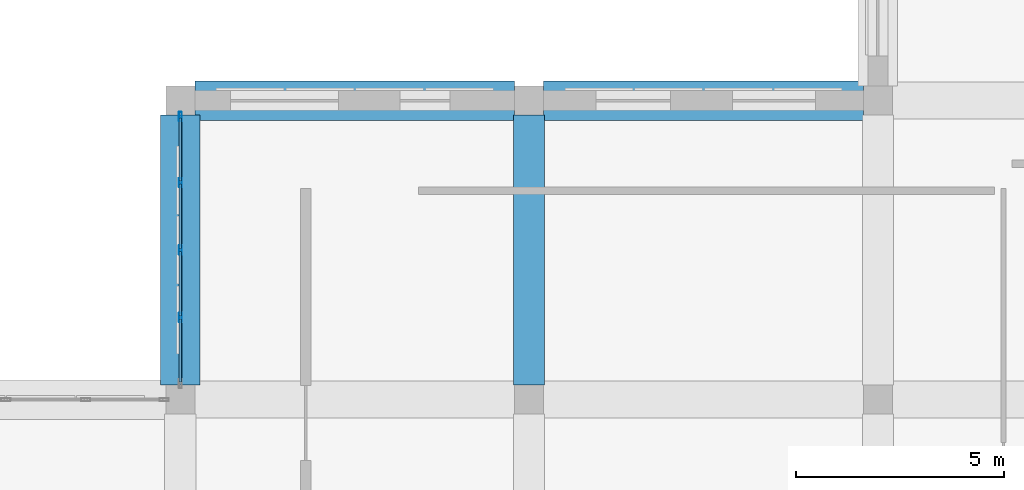
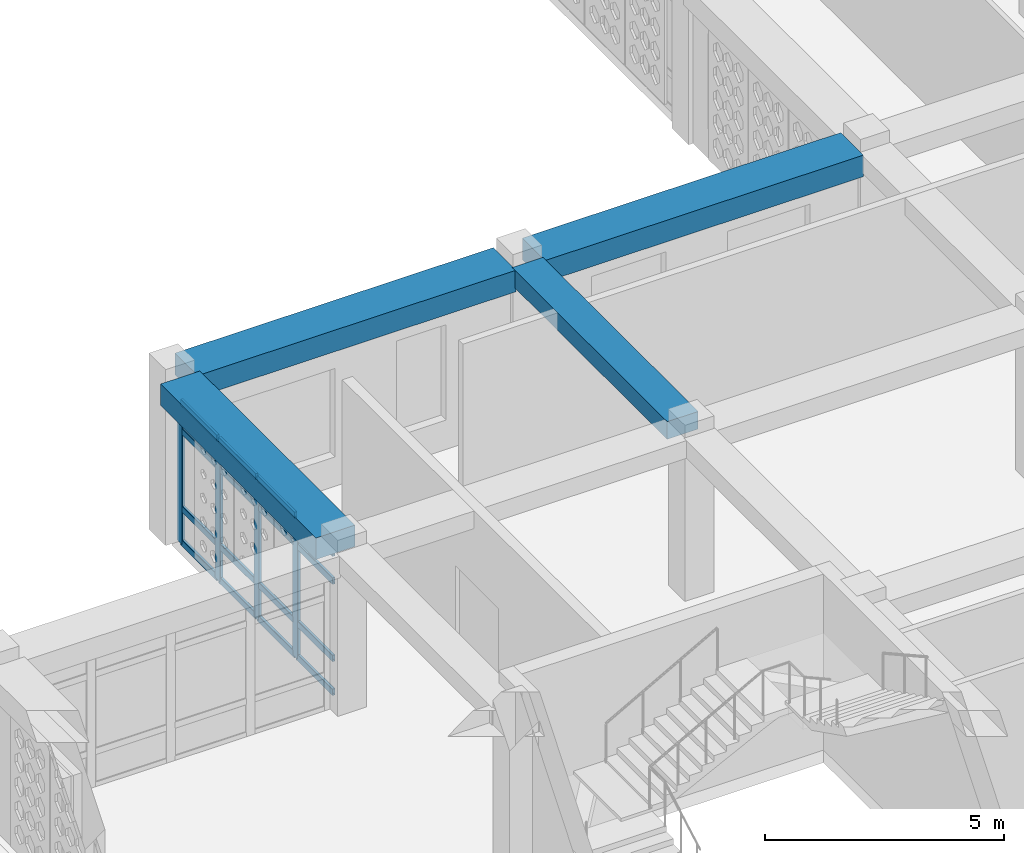
# One storey, part 27 of 100: 20 members, 4 beams, 1 element without a shape of its own.
"""IFC4 building model written with IfcOpenShell, lengths in metres."""

import ifcopenshell
import ifcopenshell.guid

model = None  # the IFC model being written
_history = None  # IfcOwnerHistory: only IFC2X3 demands one
_inside = {}  # id of a spatial element -> (the spatial element, [elements in it])
_under = {}  # id of a project, library or spatial element -> (it, [spatial elements below it])
_declared = {}  # id of a project -> (the project, [libraries it declares])
_typed = {}  # id of a type object -> (the type object, [elements of that type])
_made_of = {}  # id of a material, layer set ... -> (it, [elements and type objects made of it])


def new_model(schema):
    """Start an empty IFC model of exactly this schema.

    Asked for "IFC4X3", IfcOpenShell would pick the latest addendum, in which some entities
    have other attributes; the version numbers below select the first issue.
    IFC2X3 requires an IfcOwnerHistory on every rooted entity: one is made here for all.
    """
    global model, _history
    if schema == "IFC4X3":
        model = ifcopenshell.file(schema_version=(4, 3, 0, 0))
    else:
        model = ifcopenshell.file(schema=schema)
    _inside.clear()
    _under.clear()
    _declared.clear()
    _typed.clear()
    _made_of.clear()
    _history = None
    if model.schema == "IFC2X3":
        org = make("IfcOrganization", Name="unknown")
        user = make(
            "IfcPersonAndOrganization",
            ThePerson=make("IfcPerson", FamilyName="unknown"),
            TheOrganization=org,
        )
        app = make(
            "IfcApplication",
            ApplicationDeveloper=org,
            Version="unknown",
            ApplicationFullName="unknown",
            ApplicationIdentifier="unknown",
        )
        _history = make(
            "IfcOwnerHistory",
            OwningUser=user,
            OwningApplication=app,
            ChangeAction="ADDED",
            CreationDate=0,
        )
    return model


def make(cls, **values):
    """One entity of the class cls with the attributes given. An attribute that is None is left unset."""
    return model.create_entity(
        cls, **{name: value for name, value in values.items() if value is not None}
    )


def rooted(cls, **values):
    """An entity with a GlobalId (a new one), such as an element, a storey or a relation."""
    return make(cls, GlobalId=ifcopenshell.guid.new(), OwnerHistory=_history, **values)


def si_unit(unit_type, name, prefix=None):
    """IfcSIUnit, for example si_unit("LENGTHUNIT", "METRE", prefix="MILLI")."""
    return make("IfcSIUnit", UnitType=unit_type, Prefix=prefix, Name=name)


def derived_unit(unit_type, elements):
    """IfcDerivedUnit: a product of units, each with its exponent."""
    return make(
        "IfcDerivedUnit",
        Elements=[
            make("IfcDerivedUnitElement", Unit=unit, Exponent=power)
            for unit, power in elements
        ],
        UnitType=unit_type,
    )


def assignment(units):
    """IfcUnitAssignment: the units of a project."""
    return None if units is None else make("IfcUnitAssignment", Units=units)


def point(xyz):
    """IfcCartesianPoint."""
    return None if xyz is None else make("IfcCartesianPoint", Coordinates=xyz)


def direction(xyz):
    """IfcDirection."""
    return None if xyz is None else make("IfcDirection", DirectionRatios=xyz)


def frame(location, z_axis=None, x_axis=None):
    """IfcAxis2Placement3D, a coordinate frame: its origin and axes. An axis left out is left unset."""
    return make(
        "IfcAxis2Placement3D",
        Location=point(location),
        Axis=direction(z_axis),
        RefDirection=direction(x_axis),
    )


def frame_2d(location, x_axis=None):
    """IfcAxis2Placement2D, a coordinate frame in the plane: its origin and x axis."""
    return make(
        "IfcAxis2Placement2D", Location=point(location), RefDirection=direction(x_axis)
    )


def origin():
    """The frame at (0, 0, 0) with its axes left unset."""
    return frame((0.0, 0.0, 0.0))


def origin_2d():
    """The frame at (0, 0) in the plane with its x axis left unset."""
    return frame_2d((0.0, 0.0))


def place(relative_to, where):
    """IfcLocalPlacement: puts the frame where relative to a parent placement (None: the world)."""
    return make(
        "IfcLocalPlacement", PlacementRelTo=relative_to, RelativePlacement=where
    )


def context(
    kind, dimensions, precision=None, world=None, true_north=None, identifier=None
):
    """IfcGeometricRepresentationContext, for example the 3D "Model" context."""
    return make(
        "IfcGeometricRepresentationContext",
        ContextIdentifier=identifier,
        ContextType=kind,
        CoordinateSpaceDimension=dimensions,
        Precision=precision,
        WorldCoordinateSystem=world,
        TrueNorth=true_north,
    )


def subcontext(parent, identifier, kind, view, scale=None):
    """IfcGeometricRepresentationSubContext, for example "Body" below "Model"."""
    return make(
        "IfcGeometricRepresentationSubContext",
        ContextIdentifier=identifier,
        ContextType=kind,
        ParentContext=parent,
        TargetScale=scale,
        TargetView=view,
    )


def project(units=None, contexts=None):
    """IfcProject with its units and contexts."""
    return rooted(
        "IfcProject",
        Name="project",
        RepresentationContexts=contexts,
        UnitsInContext=assignment(units),
    )


def spatial(cls, under=None, at=None, **own):
    """A site, building, storey or space (cls), placed at a placement, below another one or the project."""
    s = rooted(cls, ObjectPlacement=at, **own)
    if under is not None:
        _under.setdefault(under.id(), (under, []))[1].append(s)
    return s


def profile(cls, at=None, kind="AREA", **sizes):
    """A parametric profile (cls). Its sizes go by their IFC names, for example OverallWidth=200.0."""
    return make(cls, ProfileType=kind, Position=at, **sizes)


def rectangle(**sizes):
    """IfcRectangleProfileDef."""
    return profile("IfcRectangleProfileDef", **sizes)


def hollow_rectangle(**sizes):
    """IfcRectangleHollowProfileDef."""
    return profile("IfcRectangleHollowProfileDef", **sizes)


def extrude(swept, where, along, depth):
    """IfcExtrudedAreaSolid: the profile swept, set in the frame where, extruded along a direction by depth."""
    return make(
        "IfcExtrudedAreaSolid",
        SweptArea=swept,
        Position=where,
        ExtrudedDirection=direction(along),
        Depth=depth,
    )


def shape(context_of_items, identifier, shape_type, items):
    """IfcShapeRepresentation: the items that make up one representation, for example the "Body"."""
    return make(
        "IfcShapeRepresentation",
        ContextOfItems=context_of_items,
        RepresentationIdentifier=identifier,
        RepresentationType=shape_type,
        Items=items,
    )


def material(Name=None, Category=None):
    """IfcMaterial."""
    return make("IfcMaterial", Name=Name, Category=Category)


def material_profile(
    of_material, cross_section, Name=None, Category=None, Priority=None
):
    """IfcMaterialProfile: a cross section and its material."""
    return make(
        "IfcMaterialProfile",
        Name=Name,
        Material=of_material,
        Profile=cross_section,
        Priority=Priority,
        Category=Category,
    )


def profile_set(profiles, Name=None, composite=None):
    """IfcMaterialProfileSet."""
    return make(
        "IfcMaterialProfileSet",
        Name=Name,
        MaterialProfiles=profiles,
        CompositeProfile=composite,
    )


def made_of(thing, what):
    """Note that an element or type object is made of a material, layer set ...; save() writes the relation."""
    if what is not None:
        _made_of.setdefault(what.id(), (what, []))[1].append(thing)
    return thing


def type_object(cls, material=None, **own):
    """A type object (cls), such as IfcWallType, which elements share."""
    return made_of(rooted(cls, **own), material)


def element(
    cls,
    number,
    at=None,
    inside=None,
    cuts=None,
    type_object=None,
    material=None,
    context=None,
    identifier="Body",
    shape_type=None,
    held_by="IfcProductDefinitionShape",
    body=None,
    shapes=None,
    **own,
):
    """One element of the class cls, such as IfcWall. Its Tag is "e" and its number.

    at: its placement. inside: the storey or other place that contains it. cuts: it is an
    opening in that element (IfcRelVoidsElement). A single representation is given by context,
    identifier, shape_type and body (its items); several are given by shapes. held_by: the class
    of the entity that holds the representations. save() writes the other relations.
    """
    e = rooted(cls, Tag="e%d" % number, ObjectPlacement=at, **own)
    if body is not None:
        shapes = [shape(context, identifier, shape_type, body)]
    if shapes is not None:
        e.Representation = make(held_by, Representations=shapes)
    if inside is not None:
        _inside.setdefault(inside.id(), (inside, []))[1].append(e)
    if cuts is not None:
        rooted(
            "IfcRelVoidsElement", RelatingBuildingElement=cuts, RelatedOpeningElement=e
        )
    if type_object is not None:
        _typed.setdefault(type_object.id(), (type_object, []))[1].append(e)
    return made_of(e, material)


def aggregate(whole, parts):
    """IfcRelAggregates: a whole, such as a stair, and the parts it consists of."""
    return rooted("IfcRelAggregates", RelatingObject=whole, RelatedObjects=parts)


def save(model, path):
    """Write the relations noted so far, then the file.

    IfcRelAggregates (storeys below a building ...), IfcRelContainedInSpatialStructure (elements
    in a storey), IfcRelDefinesByType, IfcRelAssociatesMaterial and IfcRelDeclares: one each for
    every whole, place, type object, material and project.
    """
    for whole, parts in _under.values():
        aggregate(whole, parts)
    for where, things in _inside.values():
        rooted(
            "IfcRelContainedInSpatialStructure",
            RelatedElements=things,
            RelatingStructure=where,
        )
    for kind, things in _typed.values():
        rooted("IfcRelDefinesByType", RelatedObjects=things, RelatingType=kind)
    for what, things in _made_of.values():
        rooted("IfcRelAssociatesMaterial", RelatedObjects=things, RelatingMaterial=what)
    for by, libraries in _declared.values():
        rooted("IfcRelDeclares", RelatingContext=by, RelatedDefinitions=libraries)
    model.write(path)


model = new_model("IFC4")

# Units and contexts
model_context = context("Model", 3, precision=1e-05, world=origin(), true_north=direction((0.0, 1.0)))
body_context = subcontext(model_context, "Body", "Model", "MODEL_VIEW")
ifc_project = project(units=[si_unit("LENGTHUNIT", "METRE"), si_unit("AREAUNIT", "SQUARE_METRE"), si_unit("VOLUMEUNIT", "CUBIC_METRE"), si_unit("PLANEANGLEUNIT", "RADIAN"), si_unit("MASSUNIT", "GRAM", prefix="KILO"), derived_unit("THERMALTRANSMITTANCEUNIT", [(si_unit("POWERUNIT", "WATT"), 1), (si_unit("LENGTHUNIT", "METRE"), -2), (si_unit("THERMODYNAMICTEMPERATUREUNIT", "KELVIN"), -1)])], contexts=[model_context])

# Site, building, storey
site_placement = place(None, origin())
site = spatial("IfcSite", under=ifc_project, at=site_placement, CompositionType="ELEMENT")
building_placement = place(site_placement, origin())
building = spatial("IfcBuilding", under=site, at=building_placement, Name="Veybourne Emporium", CompositionType="ELEMENT")
storey_placement = place(building_placement, frame((0.0, 0.0, 14.39990234375)))
storey = spatial("IfcBuildingStorey", under=building, at=storey_placement, Name="L03", CompositionType="ELEMENT", Elevation=14.39990234375)

# Curtain wall, members
ifc_material_1 = material(Name="Patinated Architectural Bronze", Category="bronze")
curtain_wall_type = type_object("IfcCurtainWallType", Name="CWSystem_CWS-12", PredefinedType="NOTDEFINED", material=ifc_material_1)
curtain_wall_placement = place(storey_placement, origin())
curtain_wall = element("IfcCurtainWall", 1, at=curtain_wall_placement, inside=storey, type_object=curtain_wall_type, Name="L03 bronze glazed curtain wall CWS-12 (018)", PredefinedType="NOTDEFINED")
ifc_material_profile_1 = material_profile(ifc_material_1, hollow_rectangle(XDim=0.070068359375, YDim=0.219970703125, WallThickness=0.0048828125, InnerFilletRadius=0.007568359375, OuterFilletRadius=0.012451171875, at=origin_2d()), Name="CWM 70x220x5")
ifc_profile_set_1 = profile_set([ifc_material_profile_1], Name="Patinated Architectural Bronze")
member_type_1 = type_object("IfcMemberType", Name="CWMullion_CW-M4", PredefinedType="MULLION", material=ifc_profile_set_1)
member_1_placement = place(storey_placement, frame((16.800048828125, 81.175048828125, 0.0), z_axis=(0.0, 0.0, 1.0), x_axis=(-1.0, 0.0, 0.0)))
member_1 = element("IfcMember", 2, at=member_1_placement, type_object=member_type_1, Name="CWS-12 mullion 2", PredefinedType="MULLION", context=body_context, shape_type="SweptSolid", body=[
    extrude(hollow_rectangle(XDim=0.070068359375, YDim=0.219970703125, WallThickness=0.0048828125, InnerFilletRadius=0.007568359375, OuterFilletRadius=0.012451171875, at=origin_2d()), origin(), (0.0, 0.0, 1.0), 3.630126953125),
])
member_2_placement = place(storey_placement, frame((16.800048828125, 82.800048828125, 0.0), z_axis=(0.0, 0.0, 1.0), x_axis=(-1.0, 0.0, 0.0)))
member_2 = element("IfcMember", 3, at=member_2_placement, type_object=member_type_1, Name="CWS-12 mullion 3", PredefinedType="MULLION", context=body_context, shape_type="SweptSolid", body=[
    extrude(hollow_rectangle(XDim=0.070068359375, YDim=0.219970703125, WallThickness=0.0048828125, InnerFilletRadius=0.007568359375, OuterFilletRadius=0.012451171875, at=origin_2d()), origin(), (0.0, 0.0, 1.0), 3.630126953125),
])
member_3_placement = place(storey_placement, frame((16.800048828125, 84.425048828125, 0.0), z_axis=(0.0, 0.0, 1.0), x_axis=(-1.0, 0.0, 0.0)))
member_3 = element("IfcMember", 4, at=member_3_placement, type_object=member_type_1, Name="CWS-12 mullion 4", PredefinedType="MULLION", context=body_context, shape_type="SweptSolid", body=[
    extrude(hollow_rectangle(XDim=0.070068359375, YDim=0.219970703125, WallThickness=0.0048828125, InnerFilletRadius=0.007568359375, OuterFilletRadius=0.012451171875, at=origin_2d()), origin(), (0.0, 0.0, 1.0), 3.630126953125),
])
member_4_placement = place(storey_placement, frame((16.800048828125, 86.014892578125, 0.0), z_axis=(0.0, 0.0, 1.0), x_axis=(-1.0, 0.0, 0.0)))
member_4 = element("IfcMember", 5, at=member_4_placement, type_object=member_type_1, Name="CWS-12 mullion 5", PredefinedType="MULLION", context=body_context, shape_type="SweptSolid", body=[
    extrude(hollow_rectangle(XDim=0.070068359375, YDim=0.219970703125, WallThickness=0.0048828125, InnerFilletRadius=0.007568359375, OuterFilletRadius=0.012451171875, at=origin_2d()), origin(), (0.0, 0.0, 1.0), 3.630126953125),
])
ifc_material_profile_2 = material_profile(ifc_material_1, hollow_rectangle(XDim=0.070068359375, YDim=0.169921875, WallThickness=0.0048828125, InnerFilletRadius=0.007568359375, OuterFilletRadius=0.012451171875, at=origin_2d()), Name="CWT 70x170x5")
ifc_profile_set_2 = profile_set([ifc_material_profile_2], Name="Patinated Architectural Bronze")
member_type_2 = type_object("IfcMemberType", Name="CWTransom_CW-T4", PredefinedType="NOTDEFINED", material=ifc_profile_set_2)
member_5_placement = place(storey_placement, frame((16.800048828125, 79.6201171875, 0.03515625), z_axis=(0.0, 1.0, 0.0), x_axis=(-1.0, 0.0, 0.0)))
member_5 = element("IfcMember", 6, at=member_5_placement, type_object=member_type_2, Name="CWS-12 transom 1.1", ObjectType="TRANSOM", PredefinedType="USERDEFINED", context=body_context, shape_type="SweptSolid", body=[
    extrude(hollow_rectangle(XDim=0.070068359375, YDim=0.169921875, WallThickness=0.0048828125, InnerFilletRadius=0.007568359375, OuterFilletRadius=0.012451171875, at=origin_2d()), origin(), (0.0, 0.0, 1.0), 1.519775390625),
])
member_6_placement = place(storey_placement, frame((16.800048828125, 79.6201171875, 0.900146484375), z_axis=(0.0, 1.0, 0.0), x_axis=(-1.0, 0.0, 0.0)))
member_6 = element("IfcMember", 7, at=member_6_placement, type_object=member_type_2, Name="CWS-12 transom 1.2", ObjectType="TRANSOM", PredefinedType="USERDEFINED", context=body_context, shape_type="SweptSolid", body=[
    extrude(hollow_rectangle(XDim=0.070068359375, YDim=0.169921875, WallThickness=0.0048828125, InnerFilletRadius=0.007568359375, OuterFilletRadius=0.012451171875, at=origin_2d()), origin(), (0.0, 0.0, 1.0), 1.519775390625),
])
member_7_placement = place(storey_placement, frame((16.800048828125, 79.6201171875, 2.880126953125), z_axis=(0.0, 1.0, 0.0), x_axis=(-1.0, 0.0, 0.0)))
member_7 = element("IfcMember", 8, at=member_7_placement, type_object=member_type_2, Name="CWS-12 transom 1.3", ObjectType="TRANSOM", PredefinedType="USERDEFINED", context=body_context, shape_type="SweptSolid", body=[
    extrude(hollow_rectangle(XDim=0.070068359375, YDim=0.169921875, WallThickness=0.0048828125, InnerFilletRadius=0.007568359375, OuterFilletRadius=0.012451171875, at=origin_2d()), origin(), (0.0, 0.0, 1.0), 1.519775390625),
])
member_8_placement = place(storey_placement, frame((16.800048828125, 79.6201171875, 3.59521484375), z_axis=(0.0, 1.0, 0.0), x_axis=(-1.0, 0.0, 0.0)))
member_8 = element("IfcMember", 9, at=member_8_placement, type_object=member_type_2, Name="CWS-12 transom 1.4", ObjectType="TRANSOM", PredefinedType="USERDEFINED", context=body_context, shape_type="SweptSolid", body=[
    extrude(hollow_rectangle(XDim=0.070068359375, YDim=0.169921875, WallThickness=0.0048828125, InnerFilletRadius=0.007568359375, OuterFilletRadius=0.012451171875, at=origin_2d()), origin(), (0.0, 0.0, 1.0), 1.519775390625),
])
member_9_placement = place(storey_placement, frame((16.800048828125, 81.2099609375, 0.03515625), z_axis=(0.0, 1.0, 0.0), x_axis=(-1.0, 0.0, 0.0)))
member_9 = element("IfcMember", 10, at=member_9_placement, type_object=member_type_2, Name="CWS-12 transom 2.1", ObjectType="TRANSOM", PredefinedType="USERDEFINED", context=body_context, shape_type="SweptSolid", body=[
    extrude(hollow_rectangle(XDim=0.070068359375, YDim=0.169921875, WallThickness=0.0048828125, InnerFilletRadius=0.007568359375, OuterFilletRadius=0.012451171875, at=origin_2d()), origin(), (0.0, 0.0, 1.0), 1.554931640625),
])
member_10_placement = place(storey_placement, frame((16.800048828125, 81.2099609375, 0.900146484375), z_axis=(0.0, 1.0, 0.0), x_axis=(-1.0, 0.0, 0.0)))
member_10 = element("IfcMember", 11, at=member_10_placement, type_object=member_type_2, Name="CWS-12 transom 2.2", ObjectType="TRANSOM", PredefinedType="USERDEFINED", context=body_context, shape_type="SweptSolid", body=[
    extrude(hollow_rectangle(XDim=0.070068359375, YDim=0.169921875, WallThickness=0.0048828125, InnerFilletRadius=0.007568359375, OuterFilletRadius=0.012451171875, at=origin_2d()), origin(), (0.0, 0.0, 1.0), 1.554931640625),
])
member_11_placement = place(storey_placement, frame((16.800048828125, 81.2099609375, 2.880126953125), z_axis=(0.0, 1.0, 0.0), x_axis=(-1.0, 0.0, 0.0)))
member_11 = element("IfcMember", 12, at=member_11_placement, type_object=member_type_2, Name="CWS-12 transom 2.3", ObjectType="TRANSOM", PredefinedType="USERDEFINED", context=body_context, shape_type="SweptSolid", body=[
    extrude(hollow_rectangle(XDim=0.070068359375, YDim=0.169921875, WallThickness=0.0048828125, InnerFilletRadius=0.007568359375, OuterFilletRadius=0.012451171875, at=origin_2d()), origin(), (0.0, 0.0, 1.0), 1.554931640625),
])
member_12_placement = place(storey_placement, frame((16.800048828125, 81.2099609375, 3.59521484375), z_axis=(0.0, 1.0, 0.0), x_axis=(-1.0, 0.0, 0.0)))
member_12 = element("IfcMember", 13, at=member_12_placement, type_object=member_type_2, Name="CWS-12 transom 2.4", ObjectType="TRANSOM", PredefinedType="USERDEFINED", context=body_context, shape_type="SweptSolid", body=[
    extrude(hollow_rectangle(XDim=0.070068359375, YDim=0.169921875, WallThickness=0.0048828125, InnerFilletRadius=0.007568359375, OuterFilletRadius=0.012451171875, at=origin_2d()), origin(), (0.0, 0.0, 1.0), 1.554931640625),
])
member_13_placement = place(storey_placement, frame((16.800048828125, 82.8349609375, 0.03515625), z_axis=(0.0, 1.0, 0.0), x_axis=(-1.0, 0.0, 0.0)))
member_13 = element("IfcMember", 14, at=member_13_placement, type_object=member_type_2, Name="CWS-12 transom 3.1", ObjectType="TRANSOM", PredefinedType="USERDEFINED", context=body_context, shape_type="SweptSolid", body=[
    extrude(hollow_rectangle(XDim=0.070068359375, YDim=0.169921875, WallThickness=0.0048828125, InnerFilletRadius=0.007568359375, OuterFilletRadius=0.012451171875, at=origin_2d()), origin(), (0.0, 0.0, 1.0), 1.554931640625),
])
member_14_placement = place(storey_placement, frame((16.800048828125, 82.8349609375, 0.900146484375), z_axis=(0.0, 1.0, 0.0), x_axis=(-1.0, 0.0, 0.0)))
member_14 = element("IfcMember", 15, at=member_14_placement, type_object=member_type_2, Name="CWS-12 transom 3.2", ObjectType="TRANSOM", PredefinedType="USERDEFINED", context=body_context, shape_type="SweptSolid", body=[
    extrude(hollow_rectangle(XDim=0.070068359375, YDim=0.169921875, WallThickness=0.0048828125, InnerFilletRadius=0.007568359375, OuterFilletRadius=0.012451171875, at=origin_2d()), origin(), (0.0, 0.0, 1.0), 1.554931640625),
])
member_15_placement = place(storey_placement, frame((16.800048828125, 82.8349609375, 2.880126953125), z_axis=(0.0, 1.0, 0.0), x_axis=(-1.0, 0.0, 0.0)))
member_15 = element("IfcMember", 16, at=member_15_placement, type_object=member_type_2, Name="CWS-12 transom 3.3", ObjectType="TRANSOM", PredefinedType="USERDEFINED", context=body_context, shape_type="SweptSolid", body=[
    extrude(hollow_rectangle(XDim=0.070068359375, YDim=0.169921875, WallThickness=0.0048828125, InnerFilletRadius=0.007568359375, OuterFilletRadius=0.012451171875, at=origin_2d()), origin(), (0.0, 0.0, 1.0), 1.554931640625),
])
member_16_placement = place(storey_placement, frame((16.800048828125, 82.8349609375, 3.59521484375), z_axis=(0.0, 1.0, 0.0), x_axis=(-1.0, 0.0, 0.0)))
member_16 = element("IfcMember", 17, at=member_16_placement, type_object=member_type_2, Name="CWS-12 transom 3.4", ObjectType="TRANSOM", PredefinedType="USERDEFINED", context=body_context, shape_type="SweptSolid", body=[
    extrude(hollow_rectangle(XDim=0.070068359375, YDim=0.169921875, WallThickness=0.0048828125, InnerFilletRadius=0.007568359375, OuterFilletRadius=0.012451171875, at=origin_2d()), origin(), (0.0, 0.0, 1.0), 1.554931640625),
])
member_17_placement = place(storey_placement, frame((16.800048828125, 84.4599609375, 0.03515625), z_axis=(0.0, 1.0, 0.0), x_axis=(-1.0, 0.0, 0.0)))
member_17 = element("IfcMember", 18, at=member_17_placement, type_object=member_type_2, Name="CWS-12 transom 4.1", ObjectType="TRANSOM", PredefinedType="USERDEFINED", context=body_context, shape_type="SweptSolid", body=[
    extrude(hollow_rectangle(XDim=0.070068359375, YDim=0.169921875, WallThickness=0.0048828125, InnerFilletRadius=0.007568359375, OuterFilletRadius=0.012451171875, at=origin_2d()), origin(), (0.0, 0.0, 1.0), 1.52001953125),
])
member_18_placement = place(storey_placement, frame((16.800048828125, 84.4599609375, 0.900146484375), z_axis=(0.0, 1.0, 0.0), x_axis=(-1.0, 0.0, 0.0)))
member_18 = element("IfcMember", 19, at=member_18_placement, type_object=member_type_2, Name="CWS-12 transom 4.2", ObjectType="TRANSOM", PredefinedType="USERDEFINED", context=body_context, shape_type="SweptSolid", body=[
    extrude(hollow_rectangle(XDim=0.070068359375, YDim=0.169921875, WallThickness=0.0048828125, InnerFilletRadius=0.007568359375, OuterFilletRadius=0.012451171875, at=origin_2d()), origin(), (0.0, 0.0, 1.0), 1.52001953125),
])
member_19_placement = place(storey_placement, frame((16.800048828125, 84.4599609375, 2.880126953125), z_axis=(0.0, 1.0, 0.0), x_axis=(-1.0, 0.0, 0.0)))
member_19 = element("IfcMember", 20, at=member_19_placement, type_object=member_type_2, Name="CWS-12 transom 4.3", ObjectType="TRANSOM", PredefinedType="USERDEFINED", context=body_context, shape_type="SweptSolid", body=[
    extrude(hollow_rectangle(XDim=0.070068359375, YDim=0.169921875, WallThickness=0.0048828125, InnerFilletRadius=0.007568359375, OuterFilletRadius=0.012451171875, at=origin_2d()), origin(), (0.0, 0.0, 1.0), 1.52001953125),
])
member_20_placement = place(storey_placement, frame((16.800048828125, 84.4599609375, 3.59521484375), z_axis=(0.0, 1.0, 0.0), x_axis=(-1.0, 0.0, 0.0)))
member_20 = element("IfcMember", 21, at=member_20_placement, type_object=member_type_2, Name="CWS-12 transom 4.4", ObjectType="TRANSOM", PredefinedType="USERDEFINED", context=body_context, shape_type="SweptSolid", body=[
    extrude(hollow_rectangle(XDim=0.070068359375, YDim=0.169921875, WallThickness=0.0048828125, InnerFilletRadius=0.007568359375, OuterFilletRadius=0.012451171875, at=origin_2d()), origin(), (0.0, 0.0, 1.0), 1.52001953125),
])
aggregate(curtain_wall, [member_1, member_2, member_3, member_4, member_5, member_6, member_7, member_8, member_9, member_10, member_11, member_12, member_13, member_14, member_15, member_16, member_17, member_18, member_19, member_20])

# Beams
ifc_material_2 = material(Name="Concrete C32/40", Category="concrete")
ifc_material_profile_3 = material_profile(ifc_material_2, rectangle(XDim=0.75, YDim=0.449951171875, at=origin_2d()), Name="RC 750x450")
ifc_profile_set_3 = profile_set([ifc_material_profile_3], Name="Concrete C32/40")
beam_type_1 = type_object("IfcBeamType", Name="RCBeam_BB-04", PredefinedType="BEAM", material=ifc_profile_set_3)
beam_1_placement = place(storey_placement, frame((25.199951171875, 79.550048828125, 3.955078125), z_axis=(0.0, 1.0, 0.0), x_axis=(-1.0, 0.0, 0.0)))
element("IfcBeam", 22, at=beam_1_placement, inside=storey, type_object=beam_type_1, Name="L03 Y-grid beam BB-04 (3,11)", PredefinedType="BEAM", context=body_context, shape_type="SweptSolid", body=[
    extrude(rectangle(XDim=0.75, YDim=0.449951171875, at=origin_2d()), origin(), (0.0, 0.0, 1.0), 6.5),
])
ifc_material_profile_4 = material_profile(ifc_material_2, rectangle(XDim=0.949951171875, YDim=0.550048828125, at=origin_2d()), Name="RC 950x550")
ifc_profile_set_4 = profile_set([ifc_material_profile_4], Name="Concrete C32/40")
beam_type_2 = type_object("IfcBeamType", Name="RCBeam_EB-01", PredefinedType="SPANDREL", material=ifc_profile_set_4)
beam_2_placement = place(storey_placement, frame((17.14990234375, 86.39990234375, 3.905029296875), z_axis=(1.0, 0.0, 0.0), x_axis=(0.0, 1.0, 0.0)))
element("IfcBeam", 23, at=beam_2_placement, inside=storey, type_object=beam_type_2, Name="L03 X-grid beam EB-01 (2,12)", PredefinedType="SPANDREL", context=body_context, shape_type="SweptSolid", body=[
    extrude(rectangle(XDim=0.949951171875, YDim=0.550048828125, at=origin_2d()), origin(), (0.0, 0.0, 1.0), 7.7001953125),
])
beam_3_placement = place(storey_placement, frame((25.550048828125, 86.39990234375, 3.905029296875), z_axis=(1.0, 0.0, 0.0), x_axis=(0.0, 1.0, 0.0)))
element("IfcBeam", 24, at=beam_3_placement, inside=storey, type_object=beam_type_2, Name="L03 X-grid beam EB-01 (3,12)", PredefinedType="SPANDREL", context=body_context, shape_type="SweptSolid", body=[
    extrude(rectangle(XDim=0.949951171875, YDim=0.550048828125, at=origin_2d()), origin(), (0.0, 0.0, 1.0), 7.699951171875),
])
beam_4_placement = place(storey_placement, frame((16.800048828125, 79.550048828125, 3.905029296875), z_axis=(0.0, 1.0, 0.0), x_axis=(-1.0, 0.0, 0.0)))
element("IfcBeam", 25, at=beam_4_placement, inside=storey, type_object=beam_type_2, Name="L03 Y-grid beam EB-01 (2,11)", PredefinedType="SPANDREL", context=body_context, shape_type="SweptSolid", body=[
    extrude(rectangle(XDim=0.949951171875, YDim=0.550048828125, at=origin_2d()), origin(), (0.0, 0.0, 1.0), 6.5),
])

save(model, "model.ifc")
